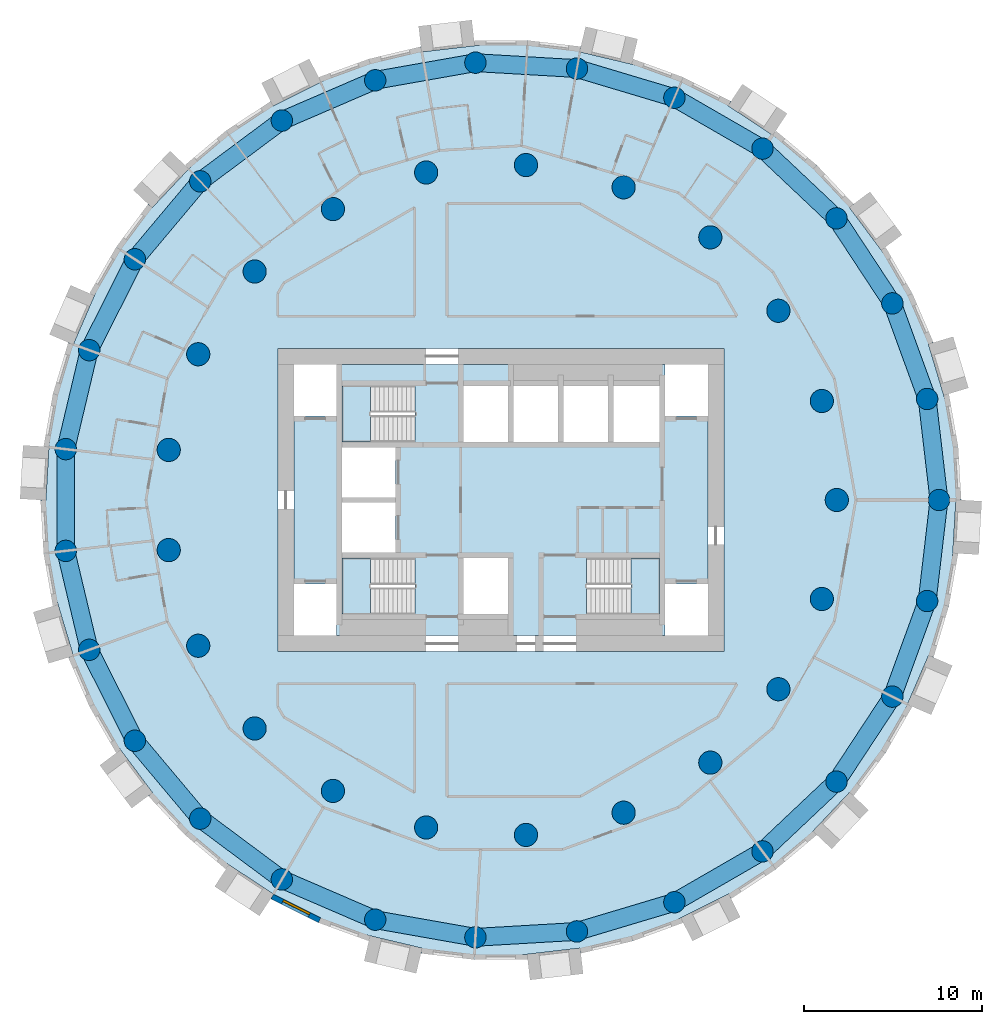
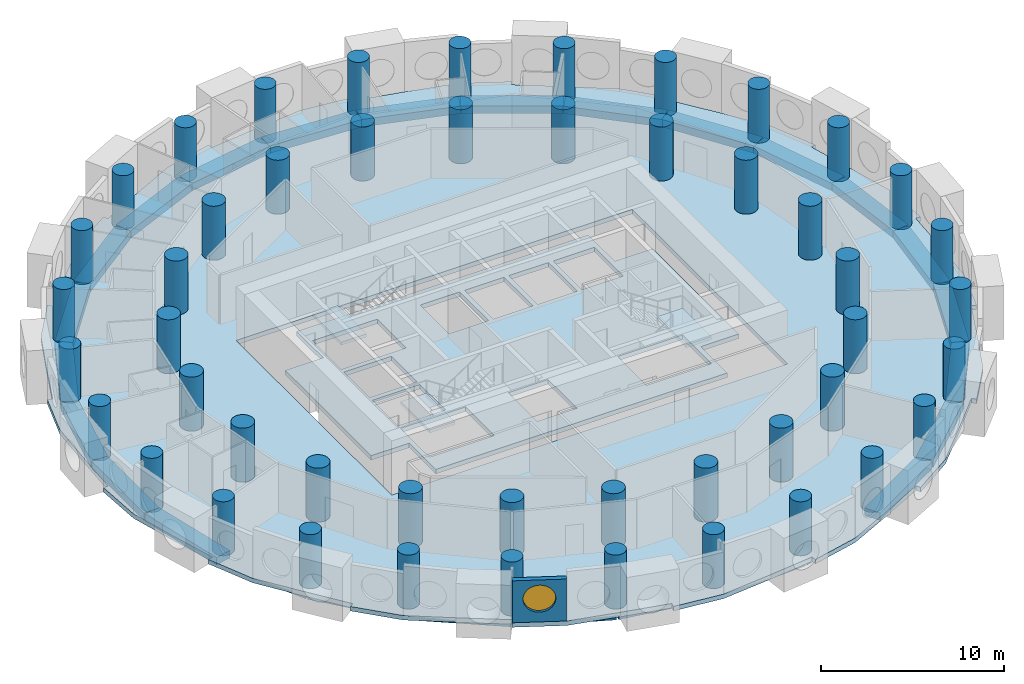
# One storey, part 1 of 10: 48 columns, 27 beams, 5 slabs, 1 wall, 1 window, 1 opening, 3 elements without a shape of their own.
"""IFC4 building model written with IfcOpenShell, lengths in metres."""

from ifc_helpers import new_model, si_unit, direction, frame, frame_2d, origin, origin_2d, place, context, subcontext, project, spatial, polyline, rectangle, circle, outline, extrude, material, layer, layer_set, material_profile, profile_set, type_object, element, fill, aggregate, save


model = new_model("IFC4")

# Units and contexts
model_context = context("Model", 3, precision=1e-05, world=origin(), true_north=direction((0.0, 1.0)))
body_context = subcontext(model_context, "Body", "Model", "MODEL_VIEW")
ifc_project = project(units=[si_unit("LENGTHUNIT", "METRE"), si_unit("AREAUNIT", "SQUARE_METRE"), si_unit("VOLUMEUNIT", "CUBIC_METRE"), si_unit("PLANEANGLEUNIT", "RADIAN"), si_unit("MASSUNIT", "GRAM", prefix="KILO")], contexts=[model_context])

# Site, building, storey
site_placement = place(None, origin())
site = spatial("IfcSite", under=ifc_project, at=site_placement, CompositionType="ELEMENT")
building_placement = place(site_placement, origin())
building = spatial("IfcBuilding", under=site, at=building_placement, Name="Tracery Tower", CompositionType="ELEMENT")
storey_placement = place(building_placement, frame((0.0, 0.0, 136.800048828125)))
storey = spatial("IfcBuildingStorey", under=building, at=storey_placement, Name="L34", CompositionType="ELEMENT", Elevation=136.800048828125)

# Columns
ifc_material_1 = material(Name="Concrete C50/60", Category="concrete")
ifc_material_profile_1 = material_profile(ifc_material_1, circle(Radius=0.60009765625, at=origin_2d()), Name="RC D1200")
ifc_profile_set_1 = profile_set([ifc_material_profile_1], Name="Concrete C50/60")
column_type_1 = type_object("IfcColumnType", Name="Ring 1 column 1200", PredefinedType="COLUMN", material=ifc_profile_set_1)
for number, where, z_axis, x_axis, name in (
    (1, (24.547607421875, 0.0, 0.0), (0.0, 0.0, 1.0), (1.0, 0.0, 0.0), "Ring 1 column 00 at L34"),
    (2, (23.885986328125, 5.6611328125, 0.0), (0.0, 0.0, 1.0), (1.0, 0.0, 0.0), "Ring 1 column 01 at L34"),
    (3, (21.9365234375, 11.01708984375, 0.0), (0.0, 0.0, 1.0), (1.0, 0.0, 0.0), "Ring 1 column 02 at L34"),
    (4, (18.8046875, 15.779052734375, 0.0), (0.0, 0.0, 1.0), (1.0, 0.0, 0.0), "Ring 1 column 03 at L34"),
    (5, (14.658935546875, 19.690185546875, 0.0), (0.0, 0.0, 1.0), (1.0, 0.0, 0.0), "Ring 1 column 04 at L34"),
    (6, (9.722900390625, 22.5400390625, 0.0), (0.0, 0.0, 1.0), (1.0, 0.0, 0.0), "Ring 1 column 05 at L34"),
    (7, (4.2626953125, 24.1748046875, 0.0), (0.0, 0.0, 1.0), (1.0, 0.0, 0.0), "Ring 1 column 06 at L34"),
    (8, (-1.42724609375, 24.506103515625, 0.0), (0.0, 0.0, 1.0), (1.0, 0.0, 0.0), "Ring 1 column 07 at L34"),
    (9, (-7.040283203125, 23.516357421875, 0.0), (0.0, 0.0, 1.0), (1.0, 0.0, 0.0), "Ring 1 column 08 at L34"),
    (10, (-12.273681640625, 21.2587890625, 0.0), (0.0, 0.0, 1.0), (1.0, 0.0, 0.0), "Ring 1 column 09 at L34"),
    (11, (-16.845703125, 17.855224609375, 0.0), (0.0, 0.0, 1.0), (1.0, 0.0, 0.0), "Ring 1 column 10 at L34"),
    (12, (-20.50927734375, 13.4892578125, 0.0), (0.0, 0.0, 1.0), (1.0, 0.0, 0.0), "Ring 1 column 11 at L34"),
    (13, (-23.0673828125, 8.395751953125, 0.0), (0.0, 0.0, 1.0), (1.0, 0.0, 0.0), "Ring 1 column 12 at L34"),
    (14, (-24.381591796875, 2.849853515625, 0.0), (0.0, 0.0, 1.0), (1.0, 0.0, 0.0), "Ring 1 column 13 at L34"),
    (15, (-24.381591796875, -2.849853515625, 0.0), (0.0, 0.0, 1.0), (1.0, 0.0, 0.0), "Ring 1 column 14 at L34"),
    (16, (-23.0673828125, -8.395751953125, 0.0), (0.0, 0.0, 1.0), (1.0, 0.0, 0.0), "Ring 1 column 15 at L34"),
    (17, (-20.50927734375, -13.4892578125, 0.0), (0.0, 0.0, 1.0), (1.0, 0.0, 0.0), "Ring 1 column 16 at L34"),
    (18, (-16.845703125, -17.85546875, 0.0), (0.0, 0.0, 1.0), (1.0, 0.0, 0.0), "Ring 1 column 17 at L34"),
    (19, (-12.27392578125, -21.2587890625, 0.0), (0.0, 0.0, 1.0), (1.0, 0.0, 0.0), "Ring 1 column 18 at L34"),
    (20, (-7.040283203125, -23.516357421875, 0.0), (0.0, 0.0, 1.0), (1.0, 0.0, 0.0), "Ring 1 column 19 at L34"),
    (21, (-1.42724609375, -24.506103515625, 0.0), (0.0, 0.0, 1.0), (1.0, 0.0, 0.0), "Ring 1 column 20 at L34"),
    (22, (4.2626953125, -24.1748046875, 0.0), (0.0, 0.0, 1.0), (1.0, 0.0, 0.0), "Ring 1 column 21 at L34"),
    (23, (9.722900390625, -22.5400390625, 0.0), (0.0, 0.0, 1.0), (1.0, 0.0, 0.0), "Ring 1 column 22 at L34"),
    (24, (14.658935546875, -19.690185546875, 0.0), (0.0, 0.0, 1.0), (1.0, 0.0, 0.0), "Ring 1 column 23 at L34"),
    (25, (18.8046875, -15.779052734375, 0.0), (0.0, 0.0, 1.0), (1.0, 0.0, 0.0), "Ring 1 column 24 at L34"),
    (26, (21.9365234375, -11.01708984375, 0.0), (0.0, 0.0, 1.0), (1.0, 0.0, 0.0), "Ring 1 column 25 at L34"),
    (27, (23.885986328125, -5.6611328125, 0.0), (0.0, 0.0, 1.0), (1.0, 0.0, 0.0), "Ring 1 column 26 at L34"),
):
    element("IfcColumn", number, at=place(storey_placement, frame(where, z_axis=z_axis, x_axis=x_axis)), inside=storey, type_object=column_type_1, Name=name, PredefinedType="COLUMN", context=body_context, shape_type="SweptSolid", body=[
        extrude(circle(Radius=0.60009765625, at=origin_2d()), origin(), (0.0, 0.0, 1.0), 3.599853515625),
    ])
ifc_material_2 = material(Name="Concrete C50/60", Category="concrete")
ifc_material_profile_2 = material_profile(ifc_material_2, circle(Radius=0.64990234375, at=origin_2d()), Name="RC D1300")
ifc_profile_set_2 = profile_set([ifc_material_profile_2], Name="Concrete C50/60")
column_type_2 = type_object("IfcColumnType", Name="Ring 2 column 1300", PredefinedType="COLUMN", material=ifc_profile_set_2)
for number, where, z_axis, x_axis, name in (
    (28, (18.822265625, 0.0, 0.0), (0.0, 0.0, 1.0), (1.0, 0.0, 0.0), "Ring 2 column 00 at L34"),
    (29, (17.986083984375, 5.5478515625, 0.0), (0.0, 0.0, 1.0), (1.0, 0.0, 0.0), "Ring 2 column 01 at L34"),
    (30, (15.551513671875, 10.602783203125, 0.0), (0.0, 0.0, 1.0), (1.0, 0.0, 0.0), "Ring 2 column 02 at L34"),
    (31, (11.7353515625, 14.7158203125, 0.0), (0.0, 0.0, 1.0), (1.0, 0.0, 0.0), "Ring 2 column 03 at L34"),
    (32, (6.87646484375, 17.52099609375, 0.0), (0.0, 0.0, 1.0), (1.0, 0.0, 0.0), "Ring 2 column 04 at L34"),
    (33, (1.406494140625, 18.76953125, 0.0), (0.0, 0.0, 1.0), (1.0, 0.0, 0.0), "Ring 2 column 05 at L34"),
    (34, (-4.188232421875, 18.350341796875, 0.0), (0.0, 0.0, 1.0), (1.0, 0.0, 0.0), "Ring 2 column 06 at L34"),
    (35, (-9.4111328125, 16.300537109375, 0.0), (0.0, 0.0, 1.0), (1.0, 0.0, 0.0), "Ring 2 column 07 at L34"),
    (36, (-13.797607421875, 12.802490234375, 0.0), (0.0, 0.0, 1.0), (1.0, 0.0, 0.0), "Ring 2 column 08 at L34"),
    (37, (-16.958251953125, 8.16650390625, 0.0), (0.0, 0.0, 1.0), (1.0, 0.0, 0.0), "Ring 2 column 09 at L34"),
    (38, (-18.612060546875, 2.805419921875, 0.0), (0.0, 0.0, 1.0), (1.0, 0.0, 0.0), "Ring 2 column 10 at L34"),
    (39, (-18.612060546875, -2.805419921875, 0.0), (0.0, 0.0, 1.0), (1.0, 0.0, 0.0), "Ring 2 column 11 at L34"),
    (40, (-16.958251953125, -8.166748046875, 0.0), (0.0, 0.0, 1.0), (1.0, 0.0, 0.0), "Ring 2 column 12 at L34"),
    (41, (-13.797607421875, -12.80224609375, 0.0), (0.0, 0.0, 1.0), (1.0, 0.0, 0.0), "Ring 2 column 13 at L34"),
    (42, (-9.4111328125, -16.300537109375, 0.0), (0.0, 0.0, 1.0), (1.0, 0.0, 0.0), "Ring 2 column 14 at L34"),
    (43, (-4.188232421875, -18.350341796875, 0.0), (0.0, 0.0, 1.0), (1.0, 0.0, 0.0), "Ring 2 column 15 at L34"),
    (44, (1.406494140625, -18.76953125, 0.0), (0.0, 0.0, 1.0), (1.0, 0.0, 0.0), "Ring 2 column 16 at L34"),
    (45, (6.87646484375, -17.52099609375, 0.0), (0.0, 0.0, 1.0), (1.0, 0.0, 0.0), "Ring 2 column 17 at L34"),
    (46, (11.7353515625, -14.7158203125, 0.0), (0.0, 0.0, 1.0), (1.0, 0.0, 0.0), "Ring 2 column 18 at L34"),
    (47, (15.551513671875, -10.602783203125, 0.0), (0.0, 0.0, 1.0), (1.0, 0.0, 0.0), "Ring 2 column 19 at L34"),
    (48, (17.986083984375, -5.5478515625, 0.0), (0.0, 0.0, 1.0), (1.0, 0.0, 0.0), "Ring 2 column 20 at L34"),
):
    element("IfcColumn", number, at=place(storey_placement, frame(where, z_axis=z_axis, x_axis=x_axis)), inside=storey, type_object=column_type_2, Name=name, PredefinedType="COLUMN", context=body_context, shape_type="SweptSolid", body=[
        extrude(circle(Radius=0.64990234375, at=origin_2d()), origin(), (0.0, 0.0, 1.0), 3.599853515625),
    ])

# Beams
ifc_material_3 = material(Name="Concrete C50/60", Category="concrete")
ifc_material_profile_3 = material_profile(ifc_material_3, rectangle(XDim=1.0, YDim=0.5, at=origin_2d()), Name="RC 1000x500")
ifc_profile_set_3 = profile_set([ifc_material_profile_3], Name="Concrete C50/60")
beam_type = type_object("IfcBeamType", Name="Perimeter band beam 1000x500", PredefinedType="BEAM", material=ifc_profile_set_3)
for number, where, z_axis, x_axis, name in (
    (49, (24.547607421875, 0.0, -0.550048828125), (-0.116080723252, 0.993239782575, 0.0), (-0.993239782575, -0.116080723252, 0.0), "Perimeter beam 1.00 under L34"),
    (50, (23.885986328125, 5.6611328125, -0.550048828125), (-0.342028502279, 0.939689578334, 0.0), (-0.939689578334, -0.342028502279, 0.0), "Perimeter beam 1.01 under L34"),
):
    element("IfcBeam", number, at=place(storey_placement, frame(where, z_axis=z_axis, x_axis=x_axis)), inside=storey, type_object=beam_type, Name=name, PredefinedType="BEAM", context=body_context, shape_type="SweptSolid", body=[
        extrude(rectangle(XDim=1.0, YDim=0.5, at=origin_2d()), origin(), (0.0, 0.0, 1.0), 5.69970703125),
    ])
for number, where, z_axis, x_axis, name in (
    (51, (21.9365234375, 11.01708984375, -0.550048828125), (-0.549489832182, 0.835500403548, 0.0), (-0.835500403548, -0.549489832182, 0.0), "Perimeter beam 1.02 under L34"),
    (52, (18.8046875, 15.779052734375, -0.550048828125), (-0.727389618263, 0.686224703172, 0.0), (-0.686224703172, -0.727389618263, 0.0), "Perimeter beam 1.03 under L34"),
):
    element("IfcBeam", number, at=place(storey_placement, frame(where, z_axis=z_axis, x_axis=x_axis)), inside=storey, type_object=beam_type, Name=name, PredefinedType="BEAM", context=body_context, shape_type="SweptSolid", body=[
        extrude(rectangle(XDim=1.0, YDim=0.5, at=origin_2d()), origin(), (0.0, 0.0, 1.0), 5.699462890625),
    ])
for number, where, z_axis, x_axis, name in (
    (53, (14.658935546875, 19.690185546875, -0.550048828125), (-0.866022950691, 0.500004248858, 0.0), (-0.500004248858, -0.866022950691, 0.0), "Perimeter beam 1.04 under L34"),
    (54, (9.722900390625, 22.5400390625, -0.550048828125), (-0.957985292634, 0.28681732705, 0.0), (-0.28681732705, -0.957985292634, 0.0), "Perimeter beam 1.05 under L34"),
):
    element("IfcBeam", number, at=place(storey_placement, frame(where, z_axis=z_axis, x_axis=x_axis)), inside=storey, type_object=beam_type, Name=name, PredefinedType="BEAM", context=body_context, shape_type="SweptSolid", body=[
        extrude(rectangle(XDim=1.0, YDim=0.5, at=origin_2d()), origin(), (0.0, 0.0, 1.0), 5.69970703125),
    ])
beam_1_placement = place(storey_placement, frame((4.2626953125, 24.1748046875, -0.550048828125), z_axis=(-0.99830920221, 0.058126902403, 0.0), x_axis=(-0.058126902403, -0.99830920221, 0.0)))
element("IfcBeam", 55, at=beam_1_placement, inside=storey, type_object=beam_type, Name="Perimeter beam 1.06 under L34", PredefinedType="BEAM", context=body_context, shape_type="SweptSolid", body=[
    extrude(rectangle(XDim=1.0, YDim=0.5, at=origin_2d()), origin(), (0.0, 0.0, 1.0), 5.699462890625),
])
beam_2_placement = place(storey_placement, frame((-1.42724609375, 24.506103515625, -0.550048828125), z_axis=(-0.984807266719, -0.173650935552, 0.0), x_axis=(0.173650935552, -0.984807266719, 0.0)))
element("IfcBeam", 56, at=beam_2_placement, inside=storey, type_object=beam_type, Name="Perimeter beam 1.07 under L34", PredefinedType="BEAM", context=body_context, shape_type="SweptSolid", body=[
    extrude(rectangle(XDim=1.0, YDim=0.5, at=origin_2d()), origin(), (0.0, 0.0, 1.0), 5.69970703125),
])
beam_3_placement = place(storey_placement, frame((-7.040283203125, 23.516357421875, -0.550048828125), z_axis=(-0.918209685525, -0.396094652083, 0.0), x_axis=(0.396094652083, -0.918209685525, 0.0)))
element("IfcBeam", 57, at=beam_3_placement, inside=storey, type_object=beam_type, Name="Perimeter beam 1.08 under L34", PredefinedType="BEAM", context=body_context, shape_type="SweptSolid", body=[
    extrude(rectangle(XDim=1.0, YDim=0.5, at=origin_2d()), origin(), (0.0, 0.0, 1.0), 5.699462890625),
])
beam_4_placement = place(storey_placement, frame((-12.273681640625, 21.2587890625, -0.550048828125), z_axis=(-0.802138271299, -0.59713833717, 0.0), x_axis=(0.59713833717, -0.802138271299, 0.0)))
element("IfcBeam", 58, at=beam_4_placement, inside=storey, type_object=beam_type, Name="Perimeter beam 1.09 under L34", PredefinedType="BEAM", context=body_context, shape_type="SweptSolid", body=[
    extrude(rectangle(XDim=1.0, YDim=0.5, at=origin_2d()), origin(), (0.0, 0.0, 1.0), 5.69970703125),
])
beam_5_placement = place(storey_placement, frame((-16.845703125, 17.855224609375, -0.550048828125), z_axis=(-0.642797194343, -0.766036400535, 0.0), x_axis=(0.766036400535, -0.642797194343, 0.0)))
element("IfcBeam", 59, at=beam_5_placement, inside=storey, type_object=beam_type, Name="Perimeter beam 1.10 under L34", PredefinedType="BEAM", context=body_context, shape_type="SweptSolid", body=[
    extrude(rectangle(XDim=1.0, YDim=0.5, at=origin_2d()), origin(), (0.0, 0.0, 1.0), 5.699462890625),
])
beam_6_placement = place(storey_placement, frame((-20.50927734375, 13.4892578125, -0.550048828125), z_axis=(-0.448806280933, -0.893629074166, 0.0), x_axis=(0.893629074166, -0.448806280933, 0.0)))
element("IfcBeam", 60, at=beam_6_placement, inside=storey, type_object=beam_type, Name="Perimeter beam 1.11 under L34", PredefinedType="BEAM", context=body_context, shape_type="SweptSolid", body=[
    extrude(rectangle(XDim=1.0, YDim=0.5, at=origin_2d()), origin(), (0.0, 0.0, 1.0), 5.69970703125),
])
beam_7_placement = place(storey_placement, frame((-23.0673828125, 8.395751953125, -0.550048828125), z_axis=(-0.230583793756, -0.973052472407, 0.0), x_axis=(0.973052472407, -0.230583793756, 0.0)))
element("IfcBeam", 61, at=beam_7_placement, inside=storey, type_object=beam_type, Name="Perimeter beam 1.12 under L34", PredefinedType="BEAM", context=body_context, shape_type="SweptSolid", body=[
    extrude(rectangle(XDim=1.0, YDim=0.5, at=origin_2d()), origin(), (0.0, 0.0, 1.0), 5.699462890625),
])
beam_8_placement = place(storey_placement, frame((-24.381591796875, 2.849853515625, -0.550048828125), z_axis=(0.0, -1.0, 0.0), x_axis=(1.0, 0.0, 0.0)))
element("IfcBeam", 62, at=beam_8_placement, inside=storey, type_object=beam_type, Name="Perimeter beam 1.13 under L34", PredefinedType="BEAM", context=body_context, shape_type="SweptSolid", body=[
    extrude(rectangle(XDim=1.0, YDim=0.5, at=origin_2d()), origin(), (0.0, 0.0, 1.0), 5.69970703125),
])
beam_9_placement = place(storey_placement, frame((-24.381591796875, -2.849853515625, -0.550048828125), z_axis=(0.230583793756, -0.973052472407, 0.0), x_axis=(0.973052472407, 0.230583793756, 0.0)))
element("IfcBeam", 63, at=beam_9_placement, inside=storey, type_object=beam_type, Name="Perimeter beam 1.14 under L34", PredefinedType="BEAM", context=body_context, shape_type="SweptSolid", body=[
    extrude(rectangle(XDim=1.0, YDim=0.5, at=origin_2d()), origin(), (0.0, 0.0, 1.0), 5.699462890625),
])
for number, where, z_axis, x_axis, name in (
    (64, (-23.0673828125, -8.395751953125, -0.550048828125), (0.448806280933, -0.893629074166, 0.0), (0.893629074166, 0.448806280933, 0.0), "Perimeter beam 1.15 under L34"),
    (65, (-20.50927734375, -13.4892578125, -0.550048828125), (0.64277610208, -0.766054099, 0.0), (0.766054099, 0.64277610208, 0.0), "Perimeter beam 1.16 under L34"),
):
    element("IfcBeam", number, at=place(storey_placement, frame(where, z_axis=z_axis, x_axis=x_axis)), inside=storey, type_object=beam_type, Name=name, PredefinedType="BEAM", context=body_context, shape_type="SweptSolid", body=[
        extrude(rectangle(XDim=1.0, YDim=0.5, at=origin_2d()), origin(), (0.0, 0.0, 1.0), 5.69970703125),
    ])
beam_10_placement = place(storey_placement, frame((-16.845703125, -17.85546875, -0.550048828125), z_axis=(0.802143514942, -0.597131293298, 0.0), x_axis=(0.597131293298, 0.802143514942, 0.0)))
element("IfcBeam", 66, at=beam_10_placement, inside=storey, type_object=beam_type, Name="Perimeter beam 1.17 under L34", PredefinedType="BEAM", context=body_context, shape_type="SweptSolid", body=[
    extrude(rectangle(XDim=1.0, YDim=0.5, at=origin_2d()), origin(), (0.0, 0.0, 1.0), 5.699462890625),
])
for number, where, z_axis, x_axis, name in (
    (67, (-12.27392578125, -21.2587890625, -0.550048828125), (0.918216405543, -0.39607907366, 0.0), (0.39607907366, 0.918216405543, 0.0), "Perimeter beam 1.18 under L34"),
    (68, (-7.040283203125, -23.516357421875, -0.550048828125), (0.984807266719, -0.173650935552, 0.0), (0.173650935552, 0.984807266719, 0.0), "Perimeter beam 1.19 under L34"),
):
    element("IfcBeam", number, at=place(storey_placement, frame(where, z_axis=z_axis, x_axis=x_axis)), inside=storey, type_object=beam_type, Name=name, PredefinedType="BEAM", context=body_context, shape_type="SweptSolid", body=[
        extrude(rectangle(XDim=1.0, YDim=0.5, at=origin_2d()), origin(), (0.0, 0.0, 1.0), 5.69970703125),
    ])
beam_11_placement = place(storey_placement, frame((-1.42724609375, -24.506103515625, -0.550048828125), z_axis=(0.99830920221, 0.058126902403, 0.0), x_axis=(-0.058126902403, 0.99830920221, 0.0)))
element("IfcBeam", 69, at=beam_11_placement, inside=storey, type_object=beam_type, Name="Perimeter beam 1.20 under L34", PredefinedType="BEAM", context=body_context, shape_type="SweptSolid", body=[
    extrude(rectangle(XDim=1.0, YDim=0.5, at=origin_2d()), origin(), (0.0, 0.0, 1.0), 5.699462890625),
])
for number, where, z_axis, x_axis, name in (
    (70, (4.2626953125, -24.1748046875, -0.550048828125), (0.957985292634, 0.28681732705, 0.0), (-0.28681732705, 0.957985292634, 0.0), "Perimeter beam 1.21 under L34"),
    (71, (9.722900390625, -22.5400390625, -0.550048828125), (0.866022950691, 0.500004248858, 0.0), (-0.500004248858, 0.866022950691, 0.0), "Perimeter beam 1.22 under L34"),
):
    element("IfcBeam", number, at=place(storey_placement, frame(where, z_axis=z_axis, x_axis=x_axis)), inside=storey, type_object=beam_type, Name=name, PredefinedType="BEAM", context=body_context, shape_type="SweptSolid", body=[
        extrude(rectangle(XDim=1.0, YDim=0.5, at=origin_2d()), origin(), (0.0, 0.0, 1.0), 5.69970703125),
    ])
for number, where, z_axis, x_axis, name in (
    (72, (14.658935546875, -19.690185546875, -0.550048828125), (0.727389618263, 0.686224703172, 0.0), (-0.686224703172, 0.727389618263, 0.0), "Perimeter beam 1.23 under L34"),
    (73, (18.8046875, -15.779052734375, -0.550048828125), (0.549489832182, 0.835500403548, 0.0), (-0.835500403548, 0.549489832182, 0.0), "Perimeter beam 1.24 under L34"),
):
    element("IfcBeam", number, at=place(storey_placement, frame(where, z_axis=z_axis, x_axis=x_axis)), inside=storey, type_object=beam_type, Name=name, PredefinedType="BEAM", context=body_context, shape_type="SweptSolid", body=[
        extrude(rectangle(XDim=1.0, YDim=0.5, at=origin_2d()), origin(), (0.0, 0.0, 1.0), 5.699462890625),
    ])
for number, where, z_axis, x_axis, name in (
    (74, (21.9365234375, -11.01708984375, -0.550048828125), (0.342028502279, 0.939689578334, 0.0), (-0.939689578334, 0.342028502279, 0.0), "Perimeter beam 1.25 under L34"),
    (75, (23.885986328125, -5.6611328125, -0.550048828125), (0.116080723252, 0.993239782575, 0.0), (-0.993239782575, 0.116080723252, 0.0), "Perimeter beam 1.26 under L34"),
):
    element("IfcBeam", number, at=place(storey_placement, frame(where, z_axis=z_axis, x_axis=x_axis)), inside=storey, type_object=beam_type, Name=name, PredefinedType="BEAM", context=body_context, shape_type="SweptSolid", body=[
        extrude(rectangle(XDim=1.0, YDim=0.5, at=origin_2d()), origin(), (0.0, 0.0, 1.0), 5.69970703125),
    ])

# Slabs
ifc_material_4 = material(Name="Concrete C50/60", Category="concrete")
ifc_layer_1 = layer(ifc_material_4, 0.300048828125)
ifc_layer_set_1 = layer_set([ifc_layer_1], Name="Core floor slab 300 C50")
slab_type_1 = type_object("IfcSlabType", Name="Core floor slab 300 C50", PredefinedType="FLOOR", material=ifc_layer_set_1)
slab_1_placement = place(storey_placement, frame((0.0, 0.0, -0.300048828125)))
element("IfcSlab", 76, at=slab_1_placement, inside=storey, type_object=slab_type_1, Name="L34 core floor 1", PredefinedType="FLOOR", context=body_context, shape_type="SweptSolid", body=[
    extrude(outline(polyline([(-9.199951171875, 7.60009765625), (9.199951171875, 7.60009765625), (9.199951171875, 4.699951171875), (11.60009765625, 4.699951171875), (11.60009765625, -4.699951171875), (9.199951171875, -4.699951171875), (9.199951171875, -7.60009765625), (-9.199951171875, -7.60009765625), (-9.199951171875, -4.699951171875), (-11.60009765625, -4.699951171875), (-11.60009765625, 4.699951171875), (-9.199951171875, 4.699951171875), (-9.199951171875, 7.60009765625)]), holes=[polyline([(4.800537109375, -6.39990234375), (8.89990234375, -6.39990234375), (8.89990234375, -3.25), (4.800537109375, -3.25), (4.800537109375, -6.39990234375)]), polyline([(8.89990234375, 3.25), (8.89990234375, 6.39990234375), (6.300048828125, 6.39990234375), (6.300048828125, 3.25), (8.89990234375, 3.25)]), polyline([(6.0, 3.25), (6.0, 6.39990234375), (3.5, 6.39990234375), (3.5, 3.25), (6.0, 3.25)]), polyline([(3.199951171875, 3.25), (3.199951171875, 6.39990234375), (0.699951171875, 6.39990234375), (0.699951171875, 3.25), (3.199951171875, 3.25)]), polyline([(-2.10009765625, 3.25), (0.39990234375, 3.25), (0.39990234375, 6.39990234375), (-2.10009765625, 6.39990234375), (-2.10009765625, 3.25)]), polyline([(0.39990234375, -6.39990234375), (0.39990234375, -3.25), (-2.10009765625, -3.25), (-2.10009765625, -6.39990234375), (0.39990234375, -6.39990234375)]), polyline([(-4.800537109375, -3.25), (-8.89990234375, -3.25), (-8.89990234375, -6.39990234375), (-4.800537109375, -6.39990234375), (-4.800537109375, -3.25)]), polyline([(-4.800537109375, 6.39990234375), (-8.89990234375, 6.39990234375), (-8.89990234375, 3.25), (-4.800537109375, 3.25), (-4.800537109375, 6.39990234375)]), polyline([(-5.89990234375, -2.949951171875), (-5.89990234375, -0.14990234375), (-8.89990234375, -0.14990234375), (-8.89990234375, -2.949951171875), (-5.89990234375, -2.949951171875)]), polyline([(-5.89990234375, 0.14990234375), (-5.89990234375, 2.949951171875), (-8.89990234375, 2.949951171875), (-8.89990234375, 0.14990234375), (-5.89990234375, 0.14990234375)])]), origin(), (0.0, 0.0, 1.0), 0.300048828125),
])
ifc_material_5 = material(Name="Concrete C40/50", Category="concrete")
ifc_layer_2 = layer(ifc_material_5, 0.300048828125)
ifc_layer_set_2 = layer_set([ifc_layer_2], Name="Floor slab 300")
slab_type_2 = type_object("IfcSlabType", Name="Floor slab 300", PredefinedType="FLOOR", material=ifc_layer_set_2)
slab_2_placement = place(storey_placement, frame((0.0, 0.0, -0.300048828125)))
element("IfcSlab", 77, at=slab_2_placement, inside=storey, type_object=slab_type_2, Name="Floor slab L34", PredefinedType="FLOOR", context=body_context, shape_type="SweptSolid", body=[
    extrude(outline(polyline([(24.809814453125, 5.8798828125), (24.694580078125, 6.265380859375), (23.95947265625, 8.720703125), (23.95947265625, 8.720703125), (23.95458984375, 8.7373046875), (24.241943359375, 8.8232421875), (23.0537109375, 11.577880859375), (21.302490234375, 14.010986328125), (20.657958984375, 14.876953125), (19.521484375, 16.4033203125), (19.76220703125, 16.58251953125), (17.70361328125, 18.7646484375), (15.227294921875, 20.450927734375), (13.4443359375, 21.623779296875), (12.74853515625, 22.081298828125), (12.74853515625, 22.081298828125), (12.73388671875, 22.0908203125), (12.89892578125, 22.341552734375), (10.218017578125, 23.68798828125), (7.312744140625, 24.426025390625), (4.427490234375, 25.10986328125), (4.427490234375, 25.10986328125), (4.410400390625, 25.114013671875), (4.4794921875, 25.4052734375), (4.479736328125, 25.40576171875), (1.5, 25.754150390625), (-1.47998046875, 25.454345703125), (-3.055908203125, 25.27001953125), (-4.427490234375, 25.10986328125), (-4.427490234375, 25.10986328125), (-4.44482421875, 25.10791015625), (-4.479736328125, 25.40576171875), (-7.39892578125, 24.7138671875), (-10.098876953125, 23.411865234375), (-12.74853515625, 22.081298828125), (-12.74853515625, 22.081298828125), (-12.76416015625, 22.073486328125), (-12.89892578125, 22.341552734375), (-15.4052734375, 20.69287109375), (-17.497314453125, 18.5458984375), (-18.208740234375, 17.791748046875), (-19.5439453125, 16.376708984375), (-19.76171875, 16.581787109375), (-19.76220703125, 16.58251953125), (-21.5537109375, 14.176025390625), (-22.78515625, 11.443115234375), (-23.95947265625, 8.720703125), (-23.95947265625, 8.720703125), (-23.96630859375, 8.70458984375), (-24.241455078125, 8.822998046875), (-24.241943359375, 8.8232421875), (-25.102294921875, 5.949462890625), (-25.32470703125, 2.96044921875), (-25.498291015625, -0.017333984375), (-25.797607421875, 0.0), (-25.797607421875, 0.0), (-25.623291015625, -2.994873046875), (-24.809814453125, -5.8798828125), (-24.694580078125, -6.265380859375), (-23.95947265625, -8.720703125), (-23.95947265625, -8.720703125), (-23.95458984375, -8.7373046875), (-24.241943359375, -8.8232421875), (-23.0537109375, -11.577880859375), (-21.302490234375, -14.010986328125), (-20.657958984375, -14.876953125), (-19.521484375, -16.4033203125), (-19.76220703125, -16.58251953125), (-17.70361328125, -18.7646484375), (-15.227294921875, -20.450927734375), (-13.4443359375, -21.623779296875), (-12.74853515625, -22.081298828125), (-12.74853515625, -22.081298828125), (-12.73388671875, -22.0908203125), (-12.89892578125, -22.341552734375), (-10.218017578125, -23.68798828125), (-7.312744140625, -24.426025390625), (-4.427490234375, -25.10986328125), (-4.427490234375, -25.10986328125), (-4.410400390625, -25.114013671875), (-4.4794921875, -25.4052734375), (-4.479736328125, -25.40576171875), (-1.5, -25.754150390625), (1.47998046875, -25.454345703125), (3.055908203125, -25.27001953125), (4.427490234375, -25.10986328125), (4.427490234375, -25.10986328125), (4.44482421875, -25.10791015625), (4.479736328125, -25.40576171875), (7.39892578125, -24.7138671875), (10.098876953125, -23.411865234375), (12.74853515625, -22.081298828125), (12.74853515625, -22.081298828125), (12.76416015625, -22.073486328125), (12.898681640625, -22.341064453125), (12.89892578125, -22.341552734375), (15.4052734375, -20.69287109375), (17.497314453125, -18.5458984375), (18.208740234375, -17.791748046875), (19.5439453125, -16.376708984375), (19.76171875, -16.581787109375), (19.76220703125, -16.58251953125), (21.5537109375, -14.176025390625), (22.78515625, -11.443115234375), (23.95947265625, -8.720703125), (23.95947265625, -8.720703125), (23.96630859375, -8.70458984375), (24.241455078125, -8.822998046875), (24.241943359375, -8.8232421875), (25.102294921875, -5.949462890625), (25.32470703125, -2.96044921875), (25.498291015625, 0.017333984375), (25.797607421875, 0.0), (25.623291015625, 2.994873046875), (24.809814453125, 5.8798828125)]), holes=[polyline([(-12.5, -8.5), (12.5, -8.5), (12.5, 8.5), (-12.5, 8.5), (-12.5, -8.5)])]), origin(), (0.0, 0.0, 1.0), 0.300048828125),
])

# Stair, slab
ifc_material_6 = material(Name="Concrete C32/40", Category="concrete")
stair_type = type_object("IfcStairType", Name="Core stair 22 risers", PredefinedType="HALF_TURN_STAIR", material=ifc_material_6)
stair_1_placement = place(storey_placement, origin())
stair_1 = element("IfcStair", 78, at=stair_1_placement, inside=storey, type_object=stair_type, Name="L34 stair ST1", PredefinedType="HALF_TURN_STAIR")
ifc_material_7 = material(Name="Concrete C32/40", Category="concrete")
ifc_layer_3 = layer(ifc_material_7, 0.199951171875)
ifc_layer_set_3 = layer_set([ifc_layer_3], Name="Stair landing slab 200")
slab_type_3 = type_object("IfcSlabType", Name="Stair landing slab 200", PredefinedType="LANDING", material=ifc_layer_set_3)
slab_3_placement = place(storey_placement, frame((0.0, 0.0, 1.599853515625)))
slab_3 = element("IfcSlab", 79, at=slab_3_placement, type_object=slab_type_3, Name="ST1 landing 1", PredefinedType="LANDING", context=body_context, shape_type="SweptSolid", body=[
    extrude(outline(polyline([(-7.29931640625, -3.25), (-8.89990234375, -3.25), (-8.89990234375, -6.39990234375), (-7.29931640625, -6.39990234375), (-7.29931640625, -3.25)])), origin(), (0.0, 0.0, 1.0), 0.2001953125),
])
aggregate(stair_1, [slab_3])

stair_2_placement = place(storey_placement, origin())
stair_2 = element("IfcStair", 80, at=stair_2_placement, inside=storey, type_object=stair_type, Name="L34 stair ST3", PredefinedType="HALF_TURN_STAIR")
slab_4_placement = place(storey_placement, frame((0.0, 0.0, 1.599853515625)))
slab_4 = element("IfcSlab", 81, at=slab_4_placement, type_object=slab_type_3, Name="ST3 landing 1", PredefinedType="LANDING", context=body_context, shape_type="SweptSolid", body=[
    extrude(outline(polyline([(-7.29931640625, 6.39990234375), (-8.89990234375, 6.39990234375), (-8.89990234375, 3.25), (-7.29931640625, 3.25), (-7.29931640625, 6.39990234375)])), origin(), (0.0, 0.0, 1.0), 0.2001953125),
])
aggregate(stair_2, [slab_4])

stair_3_placement = place(storey_placement, origin())
stair_3 = element("IfcStair", 82, at=stair_3_placement, inside=storey, type_object=stair_type, Name="L34 stair ST2", PredefinedType="HALF_TURN_STAIR")
slab_5_placement = place(storey_placement, frame((0.0, 0.0, 1.599853515625)))
slab_5 = element("IfcSlab", 83, at=slab_5_placement, type_object=slab_type_3, Name="ST2 landing 1", PredefinedType="LANDING", context=body_context, shape_type="SweptSolid", body=[
    extrude(outline(polyline([(7.29931640625, -6.39990234375), (8.89990234375, -6.39990234375), (8.89990234375, -3.25), (7.29931640625, -3.25), (7.29931640625, -6.39990234375)])), origin(), (0.0, 0.0, 1.0), 0.2001953125),
])
aggregate(stair_3, [slab_5])

# Wall, opening, window
ifc_material_8 = material(Name="Precast concrete C50/60", Category="concrete")
ifc_layer_4 = layer(ifc_material_8, 0.300048828125)
ifc_layer_set_4 = layer_set([ifc_layer_4], Name="Facade panel 3000 x 2800")
wall_type = type_object("IfcWallType", Name="Facade panel 3000 x 2800", PredefinedType="SOLIDWALL", material=ifc_layer_set_4)
wall_placement = place(storey_placement, frame((-12.815185546875, -22.215576171875, 0.0), z_axis=(0.0, 0.0, 1.0), x_axis=(0.893637442555, -0.448789618045, 0.0)))
wall = element("IfcWall", 84, at=wall_placement, inside=storey, type_object=wall_type, Name="Facade panel 37 at L34", PredefinedType="SOLIDWALL", context=body_context, shape_type="SweptSolid", body=[
    extrude(rectangle(XDim=2.972900390625, YDim=0.300048828125, at=frame_2d((1.486328125, 0.0))), origin(), (0.0, 0.0, 1.0), 2.800048828125),
])
opening_placement = place(wall_placement, frame((1.486328125, 0.0, 1.5498046875)))
opening = element("IfcOpeningElement", 85, at=opening_placement, cuts=wall, Name="Opening WN1", PredefinedType="OPENING", context=body_context, shape_type="SweptSolid", body=[
    extrude(circle(Radius=0.9000244140625, at=origin_2d()), frame((0.0, 0.159912109375, 0.0), z_axis=(0.0, -1.0, 0.0), x_axis=(1.0, 0.0, 0.0)), (0.0, 0.0, 1.0), 0.320068359375),
])
ifc_material_9 = material(Name="Aluminium frame with tinted double glazing", Category="aluminium")
window_type = type_object("IfcWindowType", Name="Round window 1800", PartitioningType="SINGLE_PANEL", PredefinedType="WINDOW", material=ifc_material_9)
window_placement = place(opening_placement, origin())
window = element("IfcWindow", 86, at=window_placement, inside=storey, type_object=window_type, Name="Round window 37 at L34", OverallHeight=1.800048828125, OverallWidth=1.800048828125, PartitioningType="SINGLE_PANEL", PredefinedType="WINDOW", context=body_context, shape_type="SweptSolid", body=[
    extrude(circle(Radius=0.9000244140625, at=origin_2d()), frame((0.0, 0.1201171875, 0.0), z_axis=(0.0, -1.0, 0.0), x_axis=(1.0, 0.0, 0.0)), (0.0, 0.0, 1.0), 0.10009765625),
])
fill(opening, window)

save(model, "model.ifc")
